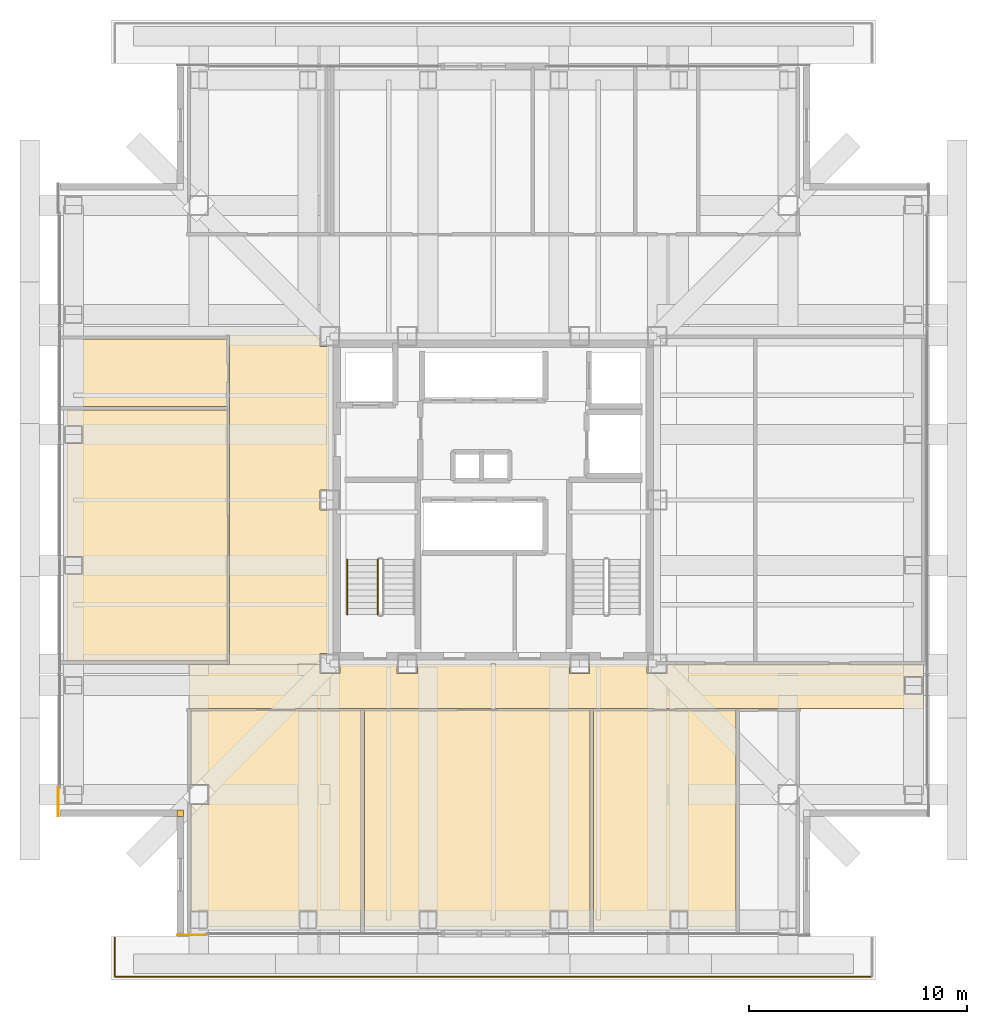
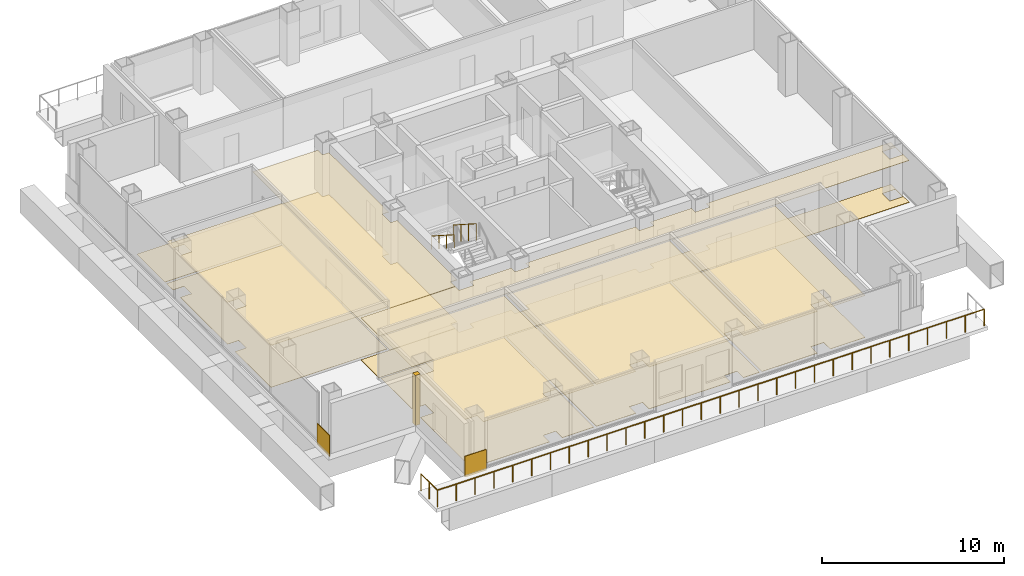
# One storey, part 12 of 14: 16 coverings, 4 railings.
"""IFC4 building model written with IfcOpenShell, lengths in metres."""

from ifc_helpers import new_model, si_unit, direction, frame, frame_2d, origin, origin_2d, place, context, subcontext, project, spatial, polyline, rectangle, circle, outline, extrude, material, layer, layer_set, type_object, element, save


model = new_model("IFC4")

# Units and contexts
model_context = context("Model", 3, precision=1e-05, world=origin(), true_north=direction((0.0, 1.0)))
body_context = subcontext(model_context, "Body", "Model", "MODEL_VIEW")
ifc_project = project(units=[si_unit("LENGTHUNIT", "METRE"), si_unit("AREAUNIT", "SQUARE_METRE"), si_unit("VOLUMEUNIT", "CUBIC_METRE"), si_unit("PLANEANGLEUNIT", "RADIAN"), si_unit("MASSUNIT", "GRAM", prefix="KILO")], contexts=[model_context])

# Site, building, storey
site_placement = place(None, origin())
site = spatial("IfcSite", under=ifc_project, at=site_placement, CompositionType="ELEMENT")
building_placement = place(site_placement, origin())
building = spatial("IfcBuilding", under=site, at=building_placement, Name="Trevonay Congress Spire", CompositionType="ELEMENT")
storey_placement = place(building_placement, frame((0.0, 0.0, 166.199951171875)))
storey = spatial("IfcBuildingStorey", under=building, at=storey_placement, Name="L42", CompositionType="ELEMENT", Elevation=166.199951171875)

# Coverings
ifc_material_1 = material(Name="Acoustic Mineral Fibre Board", Category="gypsum")
ifc_layer_1 = layer(ifc_material_1, 0.02490234375, Name="Acoustic Mineral Fibre Board")
ifc_layer_set_1 = layer_set([ifc_layer_1], Name="Acoustic Mineral Fibre Board")
covering_type_1 = type_object("IfcCoveringType", Name="COV-CEIL-ACOUSTIC", PredefinedType="CEILING", material=ifc_layer_set_1)
covering_1_placement = place(storey_placement, frame((0.0, 0.0, 2.81005859375)))
element("IfcCovering", 1, at=covering_1_placement, inside=storey, type_object=covering_type_1, Name="L42 Congress South Spine Corridor acoustic suspended ceiling", PredefinedType="CEILING", context=body_context, shape_type="SweptSolid", body=[
    extrude(outline(polyline([(19.699951171875, -7.550048828125), (19.699951171875, -9.550048828125), (-13.949951171875, -9.550048828125), (-13.949951171875, -7.550048828125), (-7.9599609375, -7.550048828125), (-7.9599609375, -7.9599609375), (-7.0400390625, -7.9599609375), (-7.0400390625, -7.550048828125), (-4.409912109375, -7.550048828125), (-4.409912109375, -7.9599609375), (-3.489990234375, -7.9599609375), (-3.489990234375, -7.550048828125), (3.489990234375, -7.550048828125), (3.489990234375, -7.9599609375), (4.409912109375, -7.9599609375), (4.409912109375, -7.550048828125), (7.0400390625, -7.550048828125), (7.0400390625, -7.9599609375), (7.9599609375, -7.9599609375), (7.9599609375, -7.550048828125), (19.699951171875, -7.550048828125)]), holes=[polyline([(18.840087890625, -8.090087890625), (18.840087890625, -8.909912109375), (19.659912109375, -8.909912109375), (19.659912109375, -8.090087890625), (18.840087890625, -8.090087890625)])]), origin(), (0.0, 0.0, 1.0), 0.02490234375),
])
covering_2_placement = place(storey_placement, frame((0.0, 0.0, 2.81005859375)))
element("IfcCovering", 2, at=covering_2_placement, inside=storey, type_object=covering_type_1, Name="L42 West Sky Promenade Salon acoustic suspended ceiling", PredefinedType="CEILING", context=body_context, shape_type="SweptSolid", body=[
    extrude(outline(polyline([(-12.10009765625, 7.550048828125), (-7.9599609375, 7.550048828125), (-7.9599609375, 7.0400390625), (-7.550048828125, 7.0400390625), (-7.550048828125, 0.4599609375), (-7.9599609375, 0.4599609375), (-7.9599609375, -0.4599609375), (-7.550048828125, -0.4599609375), (-7.550048828125, -7.0400390625), (-7.9599609375, -7.0400390625), (-7.9599609375, -7.5400390625), (-12.10009765625, -7.5400390625), (-12.10009765625, 7.550048828125)])), origin(), (0.0, 0.0, 1.0), 0.02490234375),
])
covering_3_placement = place(storey_placement, frame((0.0, 0.0, 2.81005859375)))
element("IfcCovering", 3, at=covering_3_placement, inside=storey, type_object=covering_type_1, Name="L42 Zone 3 Sky-Garden Transfer Lounge acoustic suspended ceiling", PredefinedType="CEILING", context=body_context, shape_type="SweptSolid", body=[
    extrude(outline(polyline([(-13.090087890625, -19.550048828125), (-13.090087890625, -18.840087890625), (-13.8701171875, -18.840087890625), (-13.8701171875, -13.9599609375), (-13.0400390625, -13.9599609375), (-13.0400390625, -13.0400390625), (-13.8701171875, -13.0400390625), (-13.8701171875, -9.6298828125), (-6.080078125, -9.6298828125), (-6.080078125, -19.550048828125), (-8.090087890625, -19.550048828125), (-8.090087890625, -18.840087890625), (-8.909912109375, -18.840087890625), (-8.909912109375, -19.550048828125), (-13.090087890625, -19.550048828125)])), origin(), (0.0, 0.0, 1.0), 0.02490234375),
])
covering_4_placement = place(storey_placement, frame((0.0, 0.0, 2.81005859375)))
element("IfcCovering", 4, at=covering_4_placement, inside=storey, type_object=covering_type_1, Name="L42 Sky Cafe Bar acoustic suspended ceiling", PredefinedType="CEILING", context=body_context, shape_type="SweptSolid", body=[
    extrude(outline(polyline([(-5.919921875, -19.550048828125), (-5.919921875, -9.6298828125), (4.419921875, -9.6298828125), (4.419921875, -19.550048828125), (3.409912109375, -19.550048828125), (3.409912109375, -18.840087890625), (2.590087890625, -18.840087890625), (2.590087890625, -19.550048828125), (-2.590087890625, -19.550048828125), (-2.590087890625, -18.840087890625), (-3.409912109375, -18.840087890625), (-3.409912109375, -19.550048828125), (-5.919921875, -19.550048828125)])), origin(), (0.0, 0.0, 1.0), 0.02490234375),
])
covering_5_placement = place(storey_placement, frame((0.0, 0.0, 2.81005859375)))
element("IfcCovering", 5, at=covering_5_placement, inside=storey, type_object=covering_type_1, Name="L42 Transfer Concierge Office acoustic suspended ceiling", PredefinedType="CEILING", context=body_context, shape_type="SweptSolid", body=[
    extrude(outline(polyline([(4.580078125, -19.550048828125), (4.580078125, -9.6298828125), (11.1201171875, -9.6298828125), (11.1201171875, -19.550048828125), (8.909912109375, -19.550048828125), (8.909912109375, -18.840087890625), (8.090087890625, -18.840087890625), (8.090087890625, -19.550048828125), (4.580078125, -19.550048828125)])), origin(), (0.0, 0.0, 1.0), 0.02490234375),
])
covering_6_placement = place(storey_placement, frame((0.0, 0.0, 2.81005859375)))
element("IfcCovering", 6, at=covering_6_placement, inside=storey, type_object=covering_type_1, Name="L42 Executive Lounge West acoustic suspended ceiling", PredefinedType="CEILING", context=body_context, shape_type="SweptSolid", body=[
    extrude(outline(polyline([(-19.550048828125, 4.1201171875), (-12.179931640625, 4.1201171875), (-12.179931640625, -7.3701171875), (-19.550048828125, -7.3701171875), (-19.550048828125, -3.409912109375), (-18.840087890625, -3.409912109375), (-18.840087890625, -2.590087890625), (-19.550048828125, -2.590087890625), (-19.550048828125, 2.590087890625), (-18.840087890625, 2.590087890625), (-18.840087890625, 3.409912109375), (-19.550048828125, 3.409912109375), (-19.550048828125, 4.1201171875)])), origin(), (0.0, 0.0, 1.0), 0.02490234375),
])
ifc_material_2 = material(Name="Polished Granite Floor Tile", Category="masonry")
ifc_layer_2 = layer(ifc_material_2, 0.02001953125, Name="Polished Granite Floor Tile")
ifc_layer_set_2 = layer_set([ifc_layer_2], Name="Polished Granite Floor Tile")
covering_type_2 = type_object("IfcCoveringType", Name="COV-FLOOR-STONE", PredefinedType="FLOORING", material=ifc_layer_set_2)
covering_7_placement = place(storey_placement, origin())
element("IfcCovering", 7, at=covering_7_placement, inside=storey, type_object=covering_type_2, Name="L42 Congress South Spine Corridor floor finish", PredefinedType="FLOORING", context=body_context, shape_type="SweptSolid", body=[
    extrude(outline(polyline([(19.699951171875, -7.550048828125), (19.699951171875, -9.550048828125), (-13.949951171875, -9.550048828125), (-13.949951171875, -7.550048828125), (-7.9599609375, -7.550048828125), (-7.9599609375, -7.9599609375), (-7.0400390625, -7.9599609375), (-7.0400390625, -7.550048828125), (-4.409912109375, -7.550048828125), (-4.409912109375, -7.9599609375), (-3.489990234375, -7.9599609375), (-3.489990234375, -7.550048828125), (3.489990234375, -7.550048828125), (3.489990234375, -7.9599609375), (4.409912109375, -7.9599609375), (4.409912109375, -7.550048828125), (7.0400390625, -7.550048828125), (7.0400390625, -7.9599609375), (7.9599609375, -7.9599609375), (7.9599609375, -7.550048828125), (19.699951171875, -7.550048828125)]), holes=[polyline([(18.840087890625, -8.090087890625), (18.840087890625, -8.909912109375), (19.659912109375, -8.909912109375), (19.659912109375, -8.090087890625), (18.840087890625, -8.090087890625)])]), origin(), (0.0, 0.0, 1.0), 0.02001953125),
])
covering_8_placement = place(storey_placement, origin())
element("IfcCovering", 8, at=covering_8_placement, inside=storey, type_object=covering_type_2, Name="L42 Sky Cafe Bar floor finish", PredefinedType="FLOORING", context=body_context, shape_type="SweptSolid", body=[
    extrude(outline(polyline([(-5.919921875, -19.550048828125), (-5.919921875, -9.6298828125), (4.419921875, -9.6298828125), (4.419921875, -19.550048828125), (3.409912109375, -19.550048828125), (3.409912109375, -18.840087890625), (2.590087890625, -18.840087890625), (2.590087890625, -19.550048828125), (-2.590087890625, -19.550048828125), (-2.590087890625, -18.840087890625), (-3.409912109375, -18.840087890625), (-3.409912109375, -19.550048828125), (-5.919921875, -19.550048828125)])), origin(), (0.0, 0.0, 1.0), 0.02001953125),
])
covering_9_placement = place(storey_placement, origin())
element("IfcCovering", 9, at=covering_9_placement, inside=storey, type_object=covering_type_2, Name="L42 Male Restroom WC floor finish", PredefinedType="FLOORING", context=body_context, shape_type="SweptSolid", body=[
    extrude(outline(polyline([(-19.550048828125, 4.280029296875), (-12.179931640625, 4.280029296875), (-12.179931640625, 7.3701171875), (-19.550048828125, 7.3701171875), (-19.550048828125, 4.280029296875)])), origin(), (0.0, 0.0, 1.0), 0.02001953125),
])
ifc_material_3 = material(Name="Engineered Oak Flooring", Category="wood")
ifc_layer_3 = layer(ifc_material_3, 0.01806640625, Name="Engineered Oak Flooring")
ifc_layer_set_3 = layer_set([ifc_layer_3], Name="Engineered Oak Flooring")
covering_type_3 = type_object("IfcCoveringType", Name="COV-FLOOR-TIMBER", PredefinedType="FLOORING", material=ifc_layer_set_3)
covering_10_placement = place(storey_placement, origin())
element("IfcCovering", 10, at=covering_10_placement, inside=storey, type_object=covering_type_3, Name="L42 West Sky Promenade Salon floor finish", PredefinedType="FLOORING", context=body_context, shape_type="SweptSolid", body=[
    extrude(outline(polyline([(-12.10009765625, 7.550048828125), (-7.9599609375, 7.550048828125), (-7.9599609375, 7.0400390625), (-7.550048828125, 7.0400390625), (-7.550048828125, 0.4599609375), (-7.9599609375, 0.4599609375), (-7.9599609375, -0.4599609375), (-7.550048828125, -0.4599609375), (-7.550048828125, -7.0400390625), (-7.9599609375, -7.0400390625), (-7.9599609375, -7.5400390625), (-12.10009765625, -7.5400390625), (-12.10009765625, 7.550048828125)])), origin(), (0.0, 0.0, 1.0), 0.01806640625),
])
covering_11_placement = place(storey_placement, origin())
element("IfcCovering", 11, at=covering_11_placement, inside=storey, type_object=covering_type_3, Name="L42 Zone 3 Sky-Garden Transfer Lounge floor finish", PredefinedType="FLOORING", context=body_context, shape_type="SweptSolid", body=[
    extrude(outline(polyline([(-13.090087890625, -19.550048828125), (-13.090087890625, -18.840087890625), (-13.8701171875, -18.840087890625), (-13.8701171875, -13.9599609375), (-13.0400390625, -13.9599609375), (-13.0400390625, -13.0400390625), (-13.8701171875, -13.0400390625), (-13.8701171875, -9.6298828125), (-6.080078125, -9.6298828125), (-6.080078125, -19.550048828125), (-8.090087890625, -19.550048828125), (-8.090087890625, -18.840087890625), (-8.909912109375, -18.840087890625), (-8.909912109375, -19.550048828125), (-13.090087890625, -19.550048828125)])), origin(), (0.0, 0.0, 1.0), 0.01806640625),
])
covering_12_placement = place(storey_placement, origin())
element("IfcCovering", 12, at=covering_12_placement, inside=storey, type_object=covering_type_3, Name="L42 Transfer Concierge Office floor finish", PredefinedType="FLOORING", context=body_context, shape_type="SweptSolid", body=[
    extrude(outline(polyline([(4.580078125, -19.550048828125), (4.580078125, -9.6298828125), (11.1201171875, -9.6298828125), (11.1201171875, -19.550048828125), (8.909912109375, -19.550048828125), (8.909912109375, -18.840087890625), (8.090087890625, -18.840087890625), (8.090087890625, -19.550048828125), (4.580078125, -19.550048828125)])), origin(), (0.0, 0.0, 1.0), 0.01806640625),
])
covering_13_placement = place(storey_placement, origin())
element("IfcCovering", 13, at=covering_13_placement, inside=storey, type_object=covering_type_3, Name="L42 Executive Lounge West floor finish", PredefinedType="FLOORING", context=body_context, shape_type="SweptSolid", body=[
    extrude(outline(polyline([(-19.550048828125, 4.1201171875), (-12.179931640625, 4.1201171875), (-12.179931640625, -7.3701171875), (-19.550048828125, -7.3701171875), (-19.550048828125, -3.409912109375), (-18.840087890625, -3.409912109375), (-18.840087890625, -2.590087890625), (-19.550048828125, -2.590087890625), (-19.550048828125, 2.590087890625), (-18.840087890625, 2.590087890625), (-18.840087890625, 3.409912109375), (-19.550048828125, 3.409912109375), (-19.550048828125, 4.1201171875)])), origin(), (0.0, 0.0, 1.0), 0.01806640625),
])
ifc_material_4 = material(Name="Pale Anodised Aluminium EN AW-6063-T6", Category="aluminium")
ifc_layer_4 = layer(ifc_material_4, 0.0400390625, Name="Pale Anodised Aluminium EN AW-6063-T6")
ifc_layer_set_4 = layer_set([ifc_layer_4], Name="Pale Anodised Aluminium EN AW-6063-T6")
covering_type_4 = type_object("IfcCoveringType", Name="COV-SPANDREL-PALE-METAL", PredefinedType="CLADDING", material=ifc_layer_set_4)
covering_14_placement = place(storey_placement, origin())
element("IfcCovering", 14, at=covering_14_placement, inside=storey, type_object=covering_type_4, Name="L42 SW re-entrant notch corner closure trim", PredefinedType="CLADDING", context=body_context, shape_type="SweptSolid", body=[
    extrude(outline(polyline([(-14.5, -14.5), (-14.199951171875, -14.5), (-14.199951171875, -14.199951171875), (-14.5, -14.199951171875), (-14.5, -14.5)])), origin(), (0.0, 0.0, 1.0), 3.360107421875),
])
for number, where, z_axis, x_axis, name in (
    (15, (-19.93994140625, -13.14990234375, -0.14990234375), (0.0, 0.0, 1.0), (0.0, -1.0, 0.0), "L42 SW corner pier spandrel cladding 1"),
    (16, (-13.14990234375, -19.93994140625, -0.14990234375), (0.0, 0.0, 1.0), (-1.0, 0.0, 0.0), "L42 SW corner pier spandrel cladding 2"),
):
    element("IfcCovering", number, at=place(storey_placement, frame(where, z_axis=z_axis, x_axis=x_axis)), inside=storey, type_object=covering_type_4, Name=name, PredefinedType="CLADDING", context=body_context, shape_type="SweptSolid", body=[
        extrude(rectangle(XDim=1.35009765625, YDim=0.0400390625, at=frame_2d((0.675048828125, 0.0))), origin(), (0.0, 0.0, 1.0), 1.39990234375),
    ])

# Railings
railing_type_1 = type_object("IfcRailingType", Name="RAL-BALUSTRADE-115", PredefinedType="BALUSTRADE", material=ifc_material_4)
railing_1_placement = place(storey_placement, frame((-17.35009765625, -20.050048828125, 0.0)))
element("IfcRailing", 17, at=railing_1_placement, inside=storey, type_object=railing_type_1, Name="L42 perimeter safety guard GRD-L42-SKY-S-1", PredefinedType="BALUSTRADE", context=body_context, shape_type="SweptSolid", body=[
    extrude(circle(Radius=0.02392578125, at=origin_2d()), frame((0.0, 0.0, 1.1259765625), z_axis=(0.0, -1.0, 0.0), x_axis=(1.0, 0.0, 0.0)), (0.0, 0.0, 1.0), 1.800048828125),
    extrude(circle(Radius=0.02099609375, at=origin_2d()), origin(), (0.0, 0.0, 1.0), 1.101806640625),
    extrude(circle(Radius=0.02099609375, at=origin_2d()), frame((0.0, -0.89990234375, 0.0)), (0.0, 0.0, 1.0), 1.101806640625),
    extrude(circle(Radius=0.02099609375, at=origin_2d()), frame((0.0, -1.800048828125, 0.0)), (0.0, 0.0, 1.0), 1.101806640625),
])
railing_2_placement = place(storey_placement, frame((-17.35009765625, -21.85009765625, 0.0)))
element("IfcRailing", 18, at=railing_2_placement, inside=storey, type_object=railing_type_1, Name="L42 perimeter safety guard GRD-L42-SKY-S-2", PredefinedType="BALUSTRADE", context=body_context, shape_type="SweptSolid", body=[
    extrude(circle(Radius=0.02392578125, at=origin_2d()), frame((0.0, 0.0, 1.1259765625), z_axis=(1.0, 0.0, 0.0), x_axis=(0.0, 1.0, 0.0)), (0.0, 0.0, 1.0), 34.7001953125),
    extrude(circle(Radius=0.02099609375, at=origin_2d()), origin(), (0.0, 0.0, 1.0), 1.101806640625),
    extrude(circle(Radius=0.02099609375, at=origin_2d()), frame((1.196533203125, 0.0, 0.0)), (0.0, 0.0, 1.0), 1.101806640625),
    extrude(circle(Radius=0.02099609375, at=origin_2d()), frame((2.39306640625, 0.0, 0.0)), (0.0, 0.0, 1.0), 1.101806640625),
    extrude(circle(Radius=0.02099609375, at=origin_2d()), frame((3.589599609375, 0.0, 0.0)), (0.0, 0.0, 1.0), 1.101806640625),
    extrude(circle(Radius=0.02099609375, at=origin_2d()), frame((4.7861328125, 0.0, 0.0)), (0.0, 0.0, 1.0), 1.101806640625),
    extrude(circle(Radius=0.02099609375, at=origin_2d()), frame((5.98291015625, 0.0, 0.0)), (0.0, 0.0, 1.0), 1.101806640625),
    extrude(circle(Radius=0.02099609375, at=origin_2d()), frame((7.179443359375, 0.0, 0.0)), (0.0, 0.0, 1.0), 1.101806640625),
    extrude(circle(Radius=0.02099609375, at=origin_2d()), frame((8.3759765625, 0.0, 0.0)), (0.0, 0.0, 1.0), 1.101806640625),
    extrude(circle(Radius=0.02099609375, at=origin_2d()), frame((9.572509765625, 0.0, 0.0)), (0.0, 0.0, 1.0), 1.101806640625),
    extrude(circle(Radius=0.02099609375, at=origin_2d()), frame((10.76904296875, 0.0, 0.0)), (0.0, 0.0, 1.0), 1.101806640625),
    extrude(circle(Radius=0.02099609375, at=origin_2d()), frame((11.965576171875, 0.0, 0.0)), (0.0, 0.0, 1.0), 1.101806640625),
    extrude(circle(Radius=0.02099609375, at=origin_2d()), frame((13.162109375, 0.0, 0.0)), (0.0, 0.0, 1.0), 1.101806640625),
    extrude(circle(Radius=0.02099609375, at=origin_2d()), frame((14.358642578125, 0.0, 0.0)), (0.0, 0.0, 1.0), 1.101806640625),
    extrude(circle(Radius=0.02099609375, at=origin_2d()), frame((15.55517578125, 0.0, 0.0)), (0.0, 0.0, 1.0), 1.101806640625),
    extrude(circle(Radius=0.02099609375, at=origin_2d()), frame((16.751708984375, 0.0, 0.0)), (0.0, 0.0, 1.0), 1.101806640625),
    extrude(circle(Radius=0.02099609375, at=origin_2d()), frame((17.948486328125, 0.0, 0.0)), (0.0, 0.0, 1.0), 1.101806640625),
    extrude(circle(Radius=0.02099609375, at=origin_2d()), frame((19.14501953125, 0.0, 0.0)), (0.0, 0.0, 1.0), 1.101806640625),
    extrude(circle(Radius=0.02099609375, at=origin_2d()), frame((20.341552734375, 0.0, 0.0)), (0.0, 0.0, 1.0), 1.101806640625),
    extrude(circle(Radius=0.02099609375, at=origin_2d()), frame((21.5380859375, 0.0, 0.0)), (0.0, 0.0, 1.0), 1.101806640625),
    extrude(circle(Radius=0.02099609375, at=origin_2d()), frame((22.734619140625, 0.0, 0.0)), (0.0, 0.0, 1.0), 1.101806640625),
    extrude(circle(Radius=0.02099609375, at=origin_2d()), frame((23.93115234375, 0.0, 0.0)), (0.0, 0.0, 1.0), 1.101806640625),
    extrude(circle(Radius=0.02099609375, at=origin_2d()), frame((25.127685546875, 0.0, 0.0)), (0.0, 0.0, 1.0), 1.101806640625),
    extrude(circle(Radius=0.02099609375, at=origin_2d()), frame((26.32421875, 0.0, 0.0)), (0.0, 0.0, 1.0), 1.101806640625),
    extrude(circle(Radius=0.02099609375, at=origin_2d()), frame((27.520751953125, 0.0, 0.0)), (0.0, 0.0, 1.0), 1.101806640625),
    extrude(circle(Radius=0.02099609375, at=origin_2d()), frame((28.71728515625, 0.0, 0.0)), (0.0, 0.0, 1.0), 1.101806640625),
    extrude(circle(Radius=0.02099609375, at=origin_2d()), frame((29.9140625, 0.0, 0.0)), (0.0, 0.0, 1.0), 1.101806640625),
    extrude(circle(Radius=0.02099609375, at=origin_2d()), frame((31.110595703125, 0.0, 0.0)), (0.0, 0.0, 1.0), 1.101806640625),
    extrude(circle(Radius=0.02099609375, at=origin_2d()), frame((32.30712890625, 0.0, 0.0)), (0.0, 0.0, 1.0), 1.101806640625),
    extrude(circle(Radius=0.02099609375, at=origin_2d()), frame((33.503662109375, 0.0, 0.0)), (0.0, 0.0, 1.0), 1.101806640625),
    extrude(circle(Radius=0.02099609375, at=origin_2d()), frame((34.7001953125, 0.0, 0.0)), (0.0, 0.0, 1.0), 1.101806640625),
])
railing_type_2 = type_object("IfcRailingType", Name="RAL-STAIR-GUARD-110", PredefinedType="GUARDRAIL", material=ifc_material_4)
railing_3_placement = place(storey_placement, frame((-5.300048828125, -2.72998046875, 1.97998046875)))
element("IfcRailing", 19, at=railing_3_placement, inside=storey, type_object=railing_type_2, Name="L42 ST-1 stair guard 3", PredefinedType="GUARDRAIL", context=body_context, shape_type="SweptSolid", body=[
    extrude(circle(Radius=0.02392578125, at=origin_2d()), frame((0.0, 0.0, 1.1259765625), z_axis=(0.0, -0.841162588446, 0.540782303519), x_axis=(1.0, 0.0, 0.0)), (0.0, 0.0, 1.0), 2.995849609375),
    extrude(circle(Radius=0.02099609375, at=origin_2d()), origin(), (0.0, 0.0, 1.0), 1.101806640625),
    extrude(circle(Radius=0.02099609375, at=origin_2d()), frame((0.0, -0.840087890625, 0.5400390625)), (0.0, 0.0, 1.0), 1.101806640625),
    extrude(circle(Radius=0.02099609375, at=origin_2d()), frame((0.0, -1.679931640625, 1.080078125)), (0.0, 0.0, 1.0), 1.101806640625),
    extrude(circle(Radius=0.02099609375, at=origin_2d()), frame((0.0, -2.52001953125, 1.6201171875)), (0.0, 0.0, 1.0), 1.101806640625),
])
railing_type_3 = type_object("IfcRailingType", Name="RAL-STAIR-HANDRAIL", PredefinedType="HANDRAIL", material=ifc_material_4)
railing_4_placement = place(storey_placement, frame((-6.699951171875, -2.72998046875, 1.97998046875)))
element("IfcRailing", 20, at=railing_4_placement, inside=storey, type_object=railing_type_3, Name="L42 ST-1 stair handrail 2", PredefinedType="HANDRAIL", context=body_context, shape_type="SweptSolid", body=[
    extrude(circle(Radius=0.02392578125, at=origin_2d()), frame((0.0, 0.0, 0.8759765625), z_axis=(0.0, -0.841162588446, 0.540782303519), x_axis=(1.0, 0.0, 0.0)), (0.0, 0.0, 1.0), 2.995849609375),
    extrude(circle(Radius=0.02099609375, at=origin_2d()), origin(), (0.0, 0.0, 1.0), 0.851806640625),
    extrude(circle(Radius=0.02099609375, at=origin_2d()), frame((0.0, -0.840087890625, 0.5400390625)), (0.0, 0.0, 1.0), 0.851806640625),
    extrude(circle(Radius=0.02099609375, at=origin_2d()), frame((0.0, -1.679931640625, 1.080078125)), (0.0, 0.0, 1.0), 0.851806640625),
    extrude(circle(Radius=0.02099609375, at=origin_2d()), frame((0.0, -2.52001953125, 1.6201171875)), (0.0, 0.0, 1.0), 0.851806640625),
])

save(model, "model.ifc")
